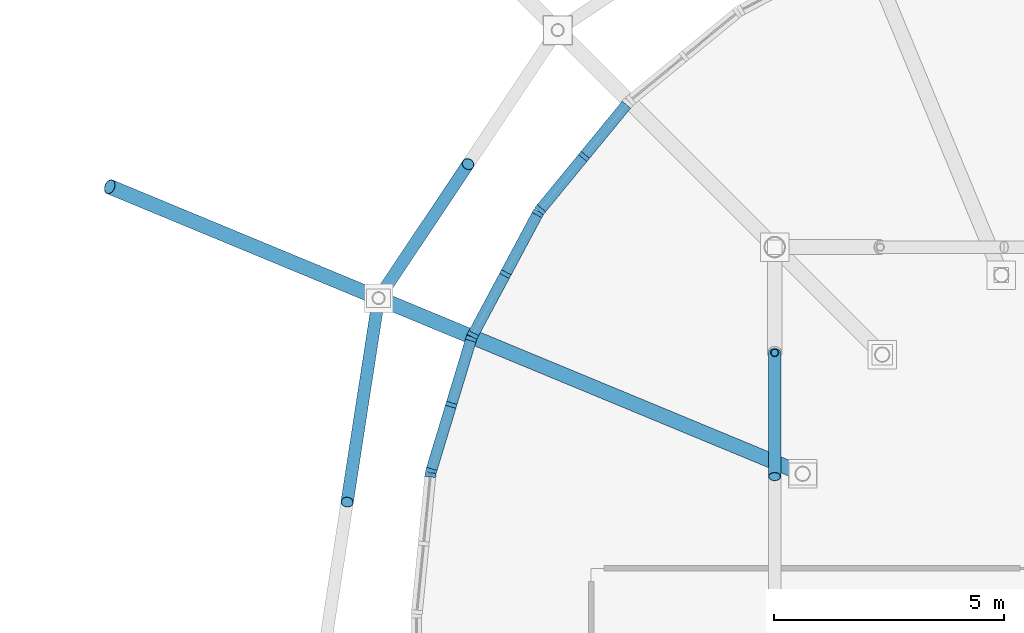
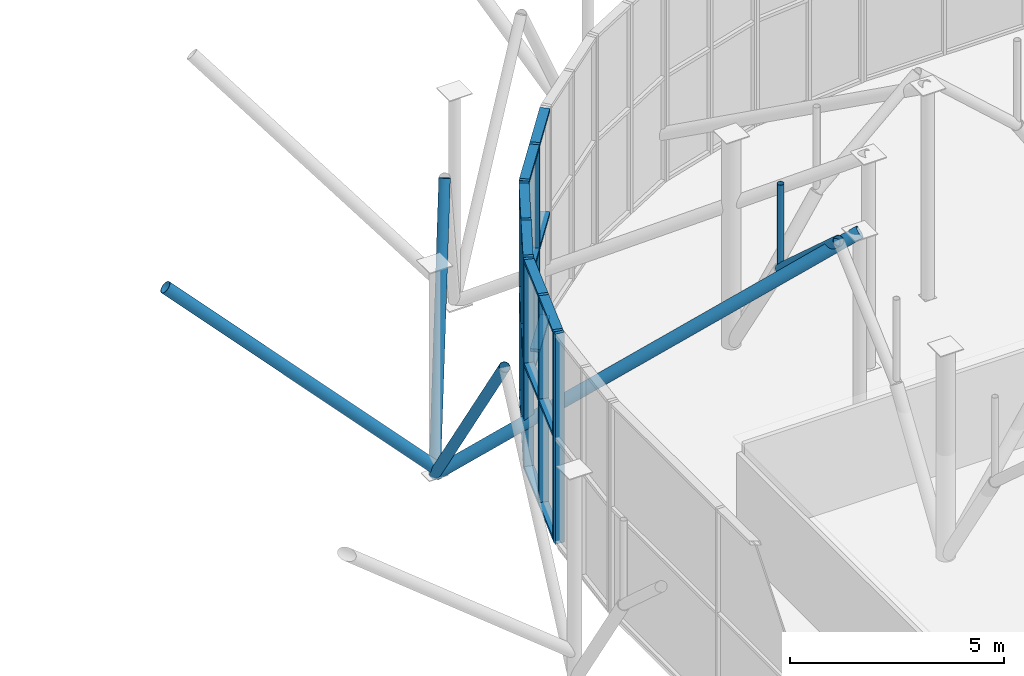
# One storey, part 49 of 109: 33 members, 4 elements without a shape of their own.
"""IFC4 building model written with IfcOpenShell, lengths in metres."""

from ifc_helpers import new_model, si_unit, derived_unit, direction, frame, origin, origin_2d_with_axis, place, context, subcontext, project, spatial, rectangle, hollow_circle, extrude, material, material_profile, profile_set, type_object, element, aggregate, save


model = new_model("IFC4")

# Units and contexts
model_context = context("Model", 3, precision=1e-05, world=origin(), true_north=direction((0.0, 1.0)))
body_context = subcontext(model_context, "Body", "Model", "MODEL_VIEW")
ifc_project = project(units=[si_unit("LENGTHUNIT", "METRE"), si_unit("AREAUNIT", "SQUARE_METRE"), si_unit("VOLUMEUNIT", "CUBIC_METRE"), si_unit("PLANEANGLEUNIT", "RADIAN"), si_unit("MASSUNIT", "GRAM", prefix="KILO"), derived_unit("THERMALTRANSMITTANCEUNIT", [(si_unit("POWERUNIT", "WATT"), 1), (si_unit("LENGTHUNIT", "METRE"), -2), (si_unit("THERMODYNAMICTEMPERATUREUNIT", "KELVIN"), -1)])], contexts=[model_context])

# Site, building, storey
site_placement = place(None, origin())
site = spatial("IfcSite", under=ifc_project, at=site_placement, CompositionType="ELEMENT")
building_placement = place(site_placement, origin())
building = spatial("IfcBuilding", under=site, at=building_placement, Name="Cinnabar Yard Market Hall", CompositionType="ELEMENT")
storey_placement = place(building_placement, frame((0.0, 0.0, 8.39990234375)))
storey = spatial("IfcBuildingStorey", under=building, at=storey_placement, Name="L02", CompositionType="ELEMENT", Elevation=8.39990234375)

# Curtain wall, members
ifc_material_1 = material(Name="Anodised bronze aluminium curved-chord facade", Category="aluminium")
curtain_wall_type = type_object("IfcCurtainWallType", Name="CW-CWC031x60", PredefinedType="NOTDEFINED", material=ifc_material_1)
curtain_wall_1_placement = place(storey_placement, origin())
curtain_wall_1 = element("IfcCurtainWall", 1, at=curtain_wall_1_placement, inside=storey, type_object=curtain_wall_type, Name="Corner NW Chord 5 L02", PredefinedType="NOTDEFINED")
ifc_material_2 = material(Name="Anodised bronze aluminium", Category="aluminium")
ifc_material_profile_1 = material_profile(ifc_material_2, rectangle(XDim=0.239990234375, YDim=0.090087890625, at=origin_2d_with_axis()), Name="MUL-CWC")
ifc_profile_set_1 = profile_set([ifc_material_profile_1], Name="Anodised bronze aluminium")
member_type_1 = type_object("IfcMemberType", Name="CWM-CWC", PredefinedType="MULLION", material=ifc_profile_set_1)
member_1_placement = place(storey_placement, frame((71.84521484375, 65.97509765625, 0.0), z_axis=(0.0, 0.0, 1.0), x_axis=(0.773018564222, -0.634383400924, 0.0)))
member_1 = element("IfcMember", 2, at=member_1_placement, type_object=member_type_1, Name="CWC031x60 mullion 2", PredefinedType="MULLION", context=body_context, shape_type="SweptSolid", body=[
    extrude(rectangle(XDim=0.239990234375, YDim=0.090087890625, at=origin_2d_with_axis()), origin(), (0.0, 0.0, 1.0), 5.97998046875),
])
member_2_placement = place(storey_placement, frame((70.891357421875, 64.812744140625, 0.0), z_axis=(0.0, 0.0, 1.0), x_axis=(0.773018564222, -0.634383400924, 0.0)))
member_2 = element("IfcMember", 3, at=member_2_placement, type_object=member_type_1, Name="CWC031x60 mullion 3", PredefinedType="MULLION", context=body_context, shape_type="SweptSolid", body=[
    extrude(rectangle(XDim=0.239990234375, YDim=0.090087890625, at=origin_2d_with_axis()), origin(), (0.0, 0.0, 1.0), 5.97998046875),
])

curtain_wall_2_placement = place(storey_placement, origin())
curtain_wall_2 = element("IfcCurtainWall", 4, at=curtain_wall_2_placement, inside=storey, type_object=curtain_wall_type, Name="Corner NW Chord 6 L02", PredefinedType="NOTDEFINED")
member_3_placement = place(storey_placement, frame((70.841552734375, 64.73828125, 0.0), z_axis=(0.0, 0.0, 1.0), x_axis=(0.881917320707, -0.471404114786, 0.0)))
member_3 = element("IfcMember", 5, at=member_3_placement, type_object=member_type_1, Name="CWC031x60 mullion 1", PredefinedType="MULLION", context=body_context, shape_type="SweptSolid", body=[
    extrude(rectangle(XDim=0.239990234375, YDim=0.090087890625, at=origin_2d_with_axis()), origin(), (0.0, 0.0, 1.0), 5.97998046875),
])
member_4_placement = place(storey_placement, frame((70.1328125, 63.412109375, 0.0), z_axis=(0.0, 0.0, 1.0), x_axis=(0.881917320707, -0.471404114786, 0.0)))
member_4 = element("IfcMember", 6, at=member_4_placement, type_object=member_type_1, Name="CWC031x60 mullion 2", PredefinedType="MULLION", context=body_context, shape_type="SweptSolid", body=[
    extrude(rectangle(XDim=0.239990234375, YDim=0.090087890625, at=origin_2d_with_axis()), origin(), (0.0, 0.0, 1.0), 5.97998046875),
])
member_5_placement = place(storey_placement, frame((69.423828125, 62.086181640625, 0.0), z_axis=(0.0, 0.0, 1.0), x_axis=(0.881917320707, -0.471404114786, 0.0)))
member_5 = element("IfcMember", 7, at=member_5_placement, type_object=member_type_1, Name="CWC031x60 mullion 3", PredefinedType="MULLION", context=body_context, shape_type="SweptSolid", body=[
    extrude(rectangle(XDim=0.239990234375, YDim=0.090087890625, at=origin_2d_with_axis()), origin(), (0.0, 0.0, 1.0), 5.97998046875),
])

curtain_wall_3_placement = place(storey_placement, origin())
curtain_wall_3 = element("IfcCurtainWall", 8, at=curtain_wall_3_placement, inside=storey, type_object=curtain_wall_type, Name="Corner NW Chord 7 L02", PredefinedType="NOTDEFINED")
member_6_placement = place(storey_placement, frame((69.3896484375, 62.00341796875, 0.0), z_axis=(0.0, 0.0, 1.0), x_axis=(0.956942090856, -0.290278891325, 0.0)))
member_6 = element("IfcMember", 9, at=member_6_placement, type_object=member_type_1, Name="CWC031x60 mullion 1", PredefinedType="MULLION", context=body_context, shape_type="SweptSolid", body=[
    extrude(rectangle(XDim=0.239990234375, YDim=0.090087890625, at=origin_2d_with_axis()), origin(), (0.0, 0.0, 1.0), 5.97998046875),
])
member_7_placement = place(storey_placement, frame((68.953125, 60.564453125, 0.0), z_axis=(0.0, 0.0, 1.0), x_axis=(0.956942090856, -0.290278891325, 0.0)))
member_7 = element("IfcMember", 10, at=member_7_placement, type_object=member_type_1, Name="CWC031x60 mullion 2", PredefinedType="MULLION", context=body_context, shape_type="SweptSolid", body=[
    extrude(rectangle(XDim=0.239990234375, YDim=0.090087890625, at=origin_2d_with_axis()), origin(), (0.0, 0.0, 1.0), 5.97998046875),
])
member_8_placement = place(storey_placement, frame((68.5166015625, 59.12548828125, 0.0), z_axis=(0.0, 0.0, 1.0), x_axis=(0.956942090856, -0.290278891325, 0.0)))
member_8 = element("IfcMember", 11, at=member_8_placement, type_object=member_type_1, Name="CWC031x60 mullion 3", PredefinedType="MULLION", context=body_context, shape_type="SweptSolid", body=[
    extrude(rectangle(XDim=0.239990234375, YDim=0.090087890625, at=origin_2d_with_axis()), origin(), (0.0, 0.0, 1.0), 5.97998046875),
])

# Curtain wall, member
curtain_wall_4_placement = place(storey_placement, origin())
curtain_wall_4 = element("IfcCurtainWall", 12, at=curtain_wall_4_placement, inside=storey, type_object=curtain_wall_type, Name="Corner NW Chord 8 L02", PredefinedType="NOTDEFINED")
member_9_placement = place(storey_placement, frame((68.499267578125, 59.03759765625, 0.0), z_axis=(0.0, 0.0, 1.0), x_axis=(0.995184408637, -0.098020369342, 0.0)))
member_9 = element("IfcMember", 13, at=member_9_placement, type_object=member_type_1, Name="CWC031x60 mullion 1", PredefinedType="MULLION", context=body_context, shape_type="SweptSolid", body=[
    extrude(rectangle(XDim=0.239990234375, YDim=0.090087890625, at=origin_2d_with_axis()), origin(), (0.0, 0.0, 1.0), 5.97998046875),
])
aggregate(curtain_wall_4, [member_9])

# Member
ifc_material_profile_2 = material_profile(ifc_material_2, rectangle(XDim=0.239990234375, YDim=0.090087890625, at=origin_2d_with_axis()), Name="TRN-CWC")
ifc_profile_set_2 = profile_set([ifc_material_profile_2], Name="Anodised bronze aluminium")
member_type_2 = type_object("IfcMemberType", Name="CWT-CWC", PredefinedType="USERDEFINED", material=ifc_profile_set_2)
member_10_placement = place(storey_placement, frame((72.7705078125, 67.102783203125, 0.045166015625), z_axis=(-0.634356309919, -0.773040795861, 0.0), x_axis=(0.773040795861, -0.634356309919, 0.0)))
member_10 = element("IfcMember", 14, at=member_10_placement, type_object=member_type_2, Name="CWC031x60 transom 1.1", ObjectType="TRANSOM", PredefinedType="USERDEFINED", context=body_context, shape_type="SweptSolid", body=[
    extrude(rectangle(XDim=0.239990234375, YDim=0.090087890625, at=origin_2d_with_axis()), origin(), (0.0, 0.0, 1.0), 1.41357421875),
])

member_11_placement = place(storey_placement, frame((72.7705078125, 67.102783203125, 2.989990234375), z_axis=(-0.634356309919, -0.773040795861, 0.0), x_axis=(0.773040795861, -0.634356309919, 0.0)))
member_11 = element("IfcMember", 15, at=member_11_placement, type_object=member_type_2, Name="CWC031x60 transom 1.2", ObjectType="TRANSOM", PredefinedType="USERDEFINED", context=body_context, shape_type="SweptSolid", body=[
    extrude(rectangle(XDim=0.239990234375, YDim=0.090087890625, at=origin_2d_with_axis()), origin(), (0.0, 0.0, 1.0), 1.41357421875),
])

member_12_placement = place(storey_placement, frame((72.7705078125, 67.102783203125, 5.93505859375), z_axis=(-0.634356309919, -0.773040795861, 0.0), x_axis=(0.773040795861, -0.634356309919, 0.0)))
member_12 = element("IfcMember", 16, at=member_12_placement, type_object=member_type_2, Name="CWC031x60 transom 1.3", ObjectType="TRANSOM", PredefinedType="USERDEFINED", context=body_context, shape_type="SweptSolid", body=[
    extrude(rectangle(XDim=0.239990234375, YDim=0.090087890625, at=origin_2d_with_axis()), origin(), (0.0, 0.0, 1.0), 1.41357421875),
])

member_13_placement = place(storey_placement, frame((71.816650390625, 65.9404296875, 0.045166015625), z_axis=(-0.634356309919, -0.773040795861, 0.0), x_axis=(0.773040795861, -0.634356309919, 0.0)))
member_13 = element("IfcMember", 17, at=member_13_placement, type_object=member_type_2, Name="CWC031x60 transom 2.1", ObjectType="TRANSOM", PredefinedType="USERDEFINED", context=body_context, shape_type="SweptSolid", body=[
    extrude(rectangle(XDim=0.239990234375, YDim=0.090087890625, at=origin_2d_with_axis()), origin(), (0.0, 0.0, 1.0), 1.41357421875),
])

member_14_placement = place(storey_placement, frame((71.816650390625, 65.9404296875, 2.989990234375), z_axis=(-0.634356309919, -0.773040795861, 0.0), x_axis=(0.773040795861, -0.634356309919, 0.0)))
member_14 = element("IfcMember", 18, at=member_14_placement, type_object=member_type_2, Name="CWC031x60 transom 2.2", ObjectType="TRANSOM", PredefinedType="USERDEFINED", context=body_context, shape_type="SweptSolid", body=[
    extrude(rectangle(XDim=0.239990234375, YDim=0.090087890625, at=origin_2d_with_axis()), origin(), (0.0, 0.0, 1.0), 1.41357421875),
])

member_15_placement = place(storey_placement, frame((71.816650390625, 65.9404296875, 5.93505859375), z_axis=(-0.634356309919, -0.773040795861, 0.0), x_axis=(0.773040795861, -0.634356309919, 0.0)))
member_15 = element("IfcMember", 19, at=member_15_placement, type_object=member_type_2, Name="CWC031x60 transom 2.3", ObjectType="TRANSOM", PredefinedType="USERDEFINED", context=body_context, shape_type="SweptSolid", body=[
    extrude(rectangle(XDim=0.239990234375, YDim=0.090087890625, at=origin_2d_with_axis()), origin(), (0.0, 0.0, 1.0), 1.41357421875),
])

aggregate(curtain_wall_1, [member_1, member_2, member_10, member_11, member_12, member_13, member_14, member_15])

member_16_placement = place(storey_placement, frame((70.8203125, 64.69873046875, 0.045166015625), z_axis=(-0.471296210365, -0.881974989496, 0.0), x_axis=(0.881974989496, -0.471296210365, 0.0)))
member_16 = element("IfcMember", 20, at=member_16_placement, type_object=member_type_2, Name="CWC031x60 transom 1.1", ObjectType="TRANSOM", PredefinedType="USERDEFINED", context=body_context, shape_type="SweptSolid", body=[
    extrude(rectangle(XDim=0.239990234375, YDim=0.090087890625, at=origin_2d_with_axis()), origin(), (0.0, 0.0, 1.0), 1.41357421875),
])

member_17_placement = place(storey_placement, frame((70.8203125, 64.69873046875, 2.989990234375), z_axis=(-0.471296210365, -0.881974989496, 0.0), x_axis=(0.881974989496, -0.471296210365, 0.0)))
member_17 = element("IfcMember", 21, at=member_17_placement, type_object=member_type_2, Name="CWC031x60 transom 1.2", ObjectType="TRANSOM", PredefinedType="USERDEFINED", context=body_context, shape_type="SweptSolid", body=[
    extrude(rectangle(XDim=0.239990234375, YDim=0.090087890625, at=origin_2d_with_axis()), origin(), (0.0, 0.0, 1.0), 1.41357421875),
])

member_18_placement = place(storey_placement, frame((70.8203125, 64.69873046875, 5.93505859375), z_axis=(-0.471296210365, -0.881974989496, 0.0), x_axis=(0.881974989496, -0.471296210365, 0.0)))
member_18 = element("IfcMember", 22, at=member_18_placement, type_object=member_type_2, Name="CWC031x60 transom 1.3", ObjectType="TRANSOM", PredefinedType="USERDEFINED", context=body_context, shape_type="SweptSolid", body=[
    extrude(rectangle(XDim=0.239990234375, YDim=0.090087890625, at=origin_2d_with_axis()), origin(), (0.0, 0.0, 1.0), 1.41357421875),
])

member_19_placement = place(storey_placement, frame((70.111572265625, 63.37255859375, 0.045166015625), z_axis=(-0.471430533224, -0.881903198965, 0.0), x_axis=(0.881903198965, -0.471430533224, 0.0)))
member_19 = element("IfcMember", 23, at=member_19_placement, type_object=member_type_2, Name="CWC031x60 transom 2.1", ObjectType="TRANSOM", PredefinedType="USERDEFINED", context=body_context, shape_type="SweptSolid", body=[
    extrude(rectangle(XDim=0.239990234375, YDim=0.090087890625, at=origin_2d_with_axis()), origin(), (0.0, 0.0, 1.0), 1.413818359375),
])

member_20_placement = place(storey_placement, frame((70.111572265625, 63.37255859375, 2.989990234375), z_axis=(-0.471430533224, -0.881903198965, 0.0), x_axis=(0.881903198965, -0.471430533224, 0.0)))
member_20 = element("IfcMember", 24, at=member_20_placement, type_object=member_type_2, Name="CWC031x60 transom 2.2", ObjectType="TRANSOM", PredefinedType="USERDEFINED", context=body_context, shape_type="SweptSolid", body=[
    extrude(rectangle(XDim=0.239990234375, YDim=0.090087890625, at=origin_2d_with_axis()), origin(), (0.0, 0.0, 1.0), 1.413818359375),
])

member_21_placement = place(storey_placement, frame((70.111572265625, 63.37255859375, 5.93505859375), z_axis=(-0.471430533224, -0.881903198965, 0.0), x_axis=(0.881903198965, -0.471430533224, 0.0)))
member_21 = element("IfcMember", 25, at=member_21_placement, type_object=member_type_2, Name="CWC031x60 transom 2.3", ObjectType="TRANSOM", PredefinedType="USERDEFINED", context=body_context, shape_type="SweptSolid", body=[
    extrude(rectangle(XDim=0.239990234375, YDim=0.090087890625, at=origin_2d_with_axis()), origin(), (0.0, 0.0, 1.0), 1.413818359375),
])

aggregate(curtain_wall_2, [member_3, member_4, member_5, member_16, member_17, member_18, member_19, member_20, member_21])

member_22_placement = place(storey_placement, frame((69.37646484375, 61.960205078125, 0.045166015625), z_axis=(-0.290151195166, -0.956980816915, 0.0), x_axis=(0.956980816915, -0.290151195166, 0.0)))
member_22 = element("IfcMember", 26, at=member_22_placement, type_object=member_type_2, Name="CWC031x60 transom 1.1", ObjectType="TRANSOM", PredefinedType="USERDEFINED", context=body_context, shape_type="SweptSolid", body=[
    extrude(rectangle(XDim=0.239990234375, YDim=0.090087890625, at=origin_2d_with_axis()), origin(), (0.0, 0.0, 1.0), 1.41357421875),
])

member_23_placement = place(storey_placement, frame((69.37646484375, 61.960205078125, 2.989990234375), z_axis=(-0.290151195166, -0.956980816915, 0.0), x_axis=(0.956980816915, -0.290151195166, 0.0)))
member_23 = element("IfcMember", 27, at=member_23_placement, type_object=member_type_2, Name="CWC031x60 transom 1.2", ObjectType="TRANSOM", PredefinedType="USERDEFINED", context=body_context, shape_type="SweptSolid", body=[
    extrude(rectangle(XDim=0.239990234375, YDim=0.090087890625, at=origin_2d_with_axis()), origin(), (0.0, 0.0, 1.0), 1.41357421875),
])

member_24_placement = place(storey_placement, frame((69.37646484375, 61.960205078125, 5.93505859375), z_axis=(-0.290151195166, -0.956980816915, 0.0), x_axis=(0.956980816915, -0.290151195166, 0.0)))
member_24 = element("IfcMember", 28, at=member_24_placement, type_object=member_type_2, Name="CWC031x60 transom 1.3", ObjectType="TRANSOM", PredefinedType="USERDEFINED", context=body_context, shape_type="SweptSolid", body=[
    extrude(rectangle(XDim=0.239990234375, YDim=0.090087890625, at=origin_2d_with_axis()), origin(), (0.0, 0.0, 1.0), 1.41357421875),
])

member_25_placement = place(storey_placement, frame((68.940185546875, 60.521240234375, 0.045166015625), z_axis=(-0.290309352341, -0.956932850279, 0.0), x_axis=(0.956932850279, -0.290309352341, 0.0)))
member_25 = element("IfcMember", 29, at=member_25_placement, type_object=member_type_2, Name="CWC031x60 transom 2.1", ObjectType="TRANSOM", PredefinedType="USERDEFINED", context=body_context, shape_type="SweptSolid", body=[
    extrude(rectangle(XDim=0.239990234375, YDim=0.090087890625, at=origin_2d_with_axis()), origin(), (0.0, 0.0, 1.0), 1.41357421875),
])

member_26_placement = place(storey_placement, frame((68.940185546875, 60.521240234375, 2.989990234375), z_axis=(-0.290309352341, -0.956932850279, 0.0), x_axis=(0.956932850279, -0.290309352341, 0.0)))
member_26 = element("IfcMember", 30, at=member_26_placement, type_object=member_type_2, Name="CWC031x60 transom 2.2", ObjectType="TRANSOM", PredefinedType="USERDEFINED", context=body_context, shape_type="SweptSolid", body=[
    extrude(rectangle(XDim=0.239990234375, YDim=0.090087890625, at=origin_2d_with_axis()), origin(), (0.0, 0.0, 1.0), 1.41357421875),
])

member_27_placement = place(storey_placement, frame((68.940185546875, 60.521240234375, 5.93505859375), z_axis=(-0.290309352341, -0.956932850279, 0.0), x_axis=(0.956932850279, -0.290309352341, 0.0)))
member_27 = element("IfcMember", 31, at=member_27_placement, type_object=member_type_2, Name="CWC031x60 transom 2.3", ObjectType="TRANSOM", PredefinedType="USERDEFINED", context=body_context, shape_type="SweptSolid", body=[
    extrude(rectangle(XDim=0.239990234375, YDim=0.090087890625, at=origin_2d_with_axis()), origin(), (0.0, 0.0, 1.0), 1.41357421875),
])

aggregate(curtain_wall_3, [member_6, member_7, member_8, member_22, member_23, member_24, member_25, member_26, member_27])

# Members
ifc_material_3 = material(Name="Spotted-gum glulam-clad steel Grade 350 (350 MPa)", Category="steel")
ifc_material_profile_3 = material_profile(ifc_material_3, hollow_circle(Radius=0.136474609375, WallThickness=0.00927734375, at=origin_2d_with_axis()), Name="273.1x9.3CHS")
ifc_profile_set_3 = profile_set([ifc_material_profile_3], Name="Spotted-gum glulam-clad steel Grade 350 (350 MPa)")
member_type_3 = type_object("IfcMemberType", Name="MB-AR01", PredefinedType="USERDEFINED", material=ifc_profile_set_3)
member_28_placement = place(storey_placement, frame((76.0, 61.699951171875, 3.550048828125), z_axis=(0.0, -0.743297488271, 0.668961018244), x_axis=(1.0, 0.0, 0.0)))
element("IfcMember", 32, at=member_28_placement, inside=storey, type_object=member_type_3, Name="Pointed Arch Rib 0013", ObjectType="ARCH RIB", PredefinedType="USERDEFINED", context=body_context, shape_type="SweptSolid", body=[
    extrude(hollow_circle(Radius=0.136474609375, WallThickness=0.00927734375, at=origin_2d_with_axis()), origin(), (0.0, 0.0, 1.0), 3.63232421875),
])
ifc_material_profile_4 = material_profile(ifc_material_3, hollow_circle(Radius=0.136474609375, WallThickness=0.00927734375, at=origin_2d_with_axis()), Name="273.1x9.3CHS")
ifc_profile_set_4 = profile_set([ifc_material_profile_4], Name="Spotted-gum glulam-clad steel Grade 350 (350 MPa)")
member_type_4 = type_object("IfcMemberType", Name="MB-AR01E", PredefinedType="USERDEFINED", material=ifc_profile_set_4)
member_29_placement = place(storey_placement, frame((67.3701171875, 62.88818359375, 0.0), z_axis=(0.281322020966, 0.42105010271, 0.862307793962), x_axis=(-0.831482988253, 0.555550213974, 0.0)))
element("IfcMember", 33, at=member_29_placement, inside=storey, type_object=member_type_4, Name="Corner Pointed Arch NW 3B", ObjectType="ARCH RIB", PredefinedType="USERDEFINED", context=body_context, shape_type="SweptSolid", body=[
    extrude(hollow_circle(Radius=0.136474609375, WallThickness=0.00927734375, at=origin_2d_with_axis()), origin(), (0.0, 0.0, 1.0), 6.934814453125),
])
member_30_placement = place(storey_placement, frame((67.3701171875, 62.88818359375, 0.0), z_axis=(-0.09156162834, -0.593975880497, 0.799255354441), x_axis=(0.988326460719, -0.152350933845, 0.0)))
element("IfcMember", 34, at=member_30_placement, inside=storey, type_object=member_type_4, Name="Corner Pointed Arch NW 4A", ObjectType="ARCH RIB", PredefinedType="USERDEFINED", context=body_context, shape_type="SweptSolid", body=[
    extrude(hollow_circle(Radius=0.136474609375, WallThickness=0.00927734375, at=origin_2d_with_axis()), origin(), (0.0, 0.0, 1.0), 7.48193359375),
])
ifc_material_profile_5 = material_profile(ifc_material_3, hollow_circle(Radius=0.161865234375, WallThickness=0.009521484375, at=origin_2d_with_axis()), Name="323.9x9.5CHS")
ifc_profile_set_5 = profile_set([ifc_material_profile_5], Name="Spotted-gum glulam-clad steel Grade 350 (350 MPa)")
member_type_5 = type_object("IfcMemberType", Name="MB-ST01E", PredefinedType="STRUT", material=ifc_profile_set_5)
member_31_placement = place(storey_placement, frame((67.3701171875, 62.88818359375, 0.0), z_axis=(0.792922692544, -0.328425302123, 0.513235252661), x_axis=(0.382669478028, 0.923885312463, 0.0)))
element("IfcMember", 35, at=member_31_placement, inside=storey, type_object=member_type_5, Name="Corner Radial Inward Arm NW-6", PredefinedType="STRUT", context=body_context, shape_type="SweptSolid", body=[
    extrude(hollow_circle(Radius=0.161865234375, WallThickness=0.009521484375, at=origin_2d_with_axis()), origin(), (0.0, 0.0, 1.0), 11.651611328125),
])
member_32_placement = place(storey_placement, frame((67.3701171875, 62.88818359375, 0.2001953125), z_axis=(-0.68704037604, 0.284586831322, 0.668570009145), x_axis=(-0.382689618566, -0.923876970079, 0.0)))
element("IfcMember", 36, at=member_32_placement, inside=storey, type_object=member_type_5, Name="Corner Chhajja Bracket Arm NW-6", PredefinedType="STRUT", context=body_context, shape_type="SweptSolid", body=[
    extrude(hollow_circle(Radius=0.161865234375, WallThickness=0.009521484375, at=origin_2d_with_axis()), origin(), (0.0, 0.0, 1.0), 8.525634765625),
])
ifc_material_4 = material(Name="Cold-formed steel C350L0", Category="steel")
ifc_material_profile_6 = material_profile(ifc_material_4, hollow_circle(Radius=0.084228515625, WallThickness=0.00634765625, at=origin_2d_with_axis()), Name="168.3x6.4CHS")
ifc_profile_set_6 = profile_set([ifc_material_profile_6], Name="Cold-formed steel C350L0")
member_type_6 = type_object("IfcMemberType", Name="MB-WB01", PredefinedType="STRUT", material=ifc_profile_set_6)
member_33_placement = place(storey_placement, frame((76.0, 61.699951171875, 3.550048828125), z_axis=(0.0, 0.0, 1.0), x_axis=(1.0, 0.0, 0.0)))
element("IfcMember", 37, at=member_33_placement, inside=storey, type_object=member_type_6, Name="Arch Spandrel Post 0013", PredefinedType="STRUT", context=body_context, shape_type="SweptSolid", body=[
    extrude(hollow_circle(Radius=0.084228515625, WallThickness=0.00634765625, at=origin_2d_with_axis()), origin(), (0.0, 0.0, 1.0), 2.429931640625),
])

save(model, "model.ifc")
